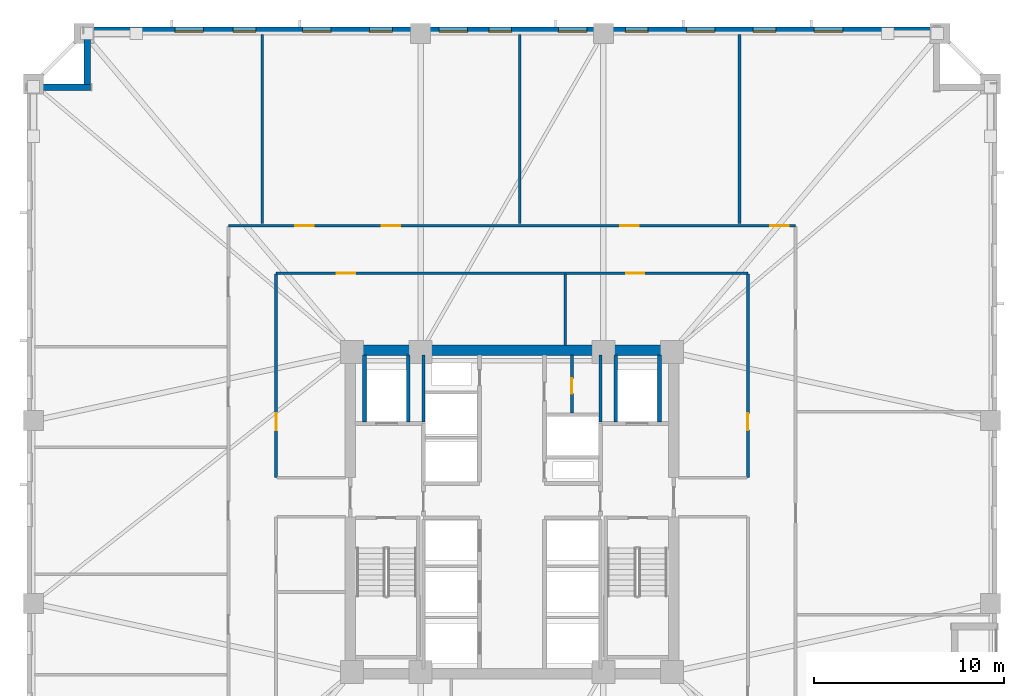
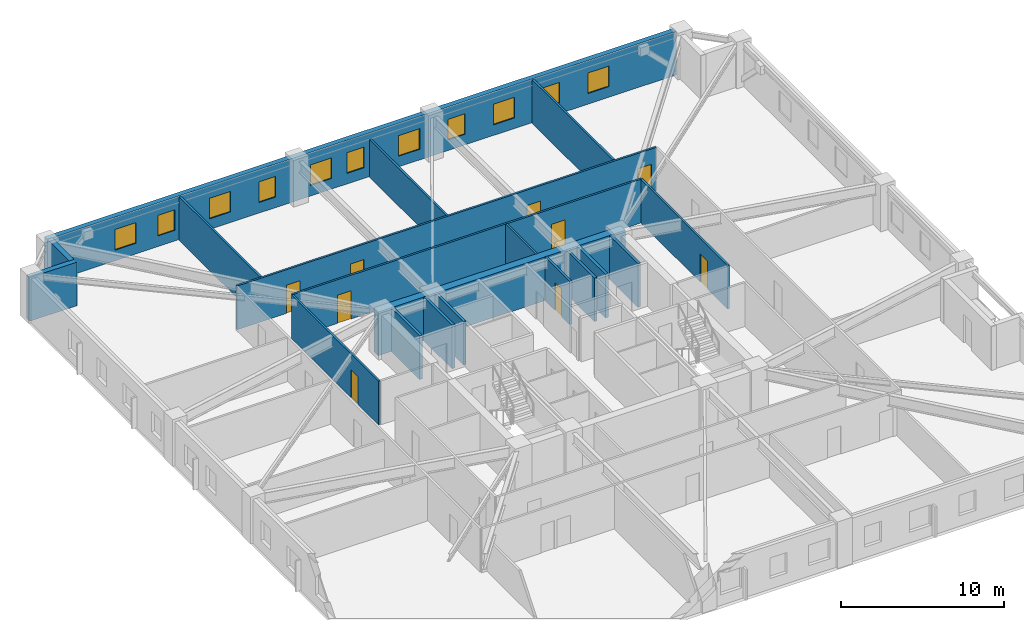
# One storey, part 5 of 11: 19 walls, 11 windows, 9 doors, 20 openings.
"""IFC4 building model written with IfcOpenShell, lengths in metres."""

from ifc_helpers import new_model, si_unit, direction, frame, frame_2d, origin, place, context, subcontext, project, spatial, rectangle, extrude, material, layer, layer_set, type_object, element, fill, save


model = new_model("IFC4")

# Units and contexts
model_context = context("Model", 3, precision=1e-05, world=origin(), true_north=direction((0.0, 1.0)))
body_context = subcontext(model_context, "Body", "Model", "MODEL_VIEW")
ifc_project = project(units=[si_unit("LENGTHUNIT", "METRE"), si_unit("AREAUNIT", "SQUARE_METRE"), si_unit("VOLUMEUNIT", "CUBIC_METRE"), si_unit("PLANEANGLEUNIT", "RADIAN"), si_unit("MASSUNIT", "GRAM", prefix="KILO")], contexts=[model_context])

# Site, building, storey
site_placement = place(None, origin())
site = spatial("IfcSite", under=ifc_project, at=site_placement, CompositionType="ELEMENT")
building_placement = place(site_placement, origin())
building = spatial("IfcBuilding", under=site, at=building_placement, Name="Cairnveth Concourse Tower", CompositionType="ELEMENT")
storey_placement = place(building_placement, frame((0.0, 0.0, 58.5)))
storey = spatial("IfcBuildingStorey", under=building, at=storey_placement, Name="L15", CompositionType="ELEMENT", Elevation=58.5)

# Wall, opening, door
ifc_material_1 = material(Name="Gypsum Plasterboard Partition", Category="gypsum")
ifc_layer_1 = layer(ifc_material_1, 0.159912109375)
ifc_layer_set_1 = layer_set([ifc_layer_1], Name="Gypsum Plasterboard Partition")
wall_type_1 = type_object("IfcWallType", Name="ACOUSTIC PARTY WALL 180", PredefinedType="PARTITIONING", material=ifc_layer_set_1)
wall_1_placement = place(storey_placement, frame((55.14990234375, 44.195068359375, 0.0), z_axis=(0.0, 0.0, 1.0), x_axis=(0.0, 1.0, 0.0)))
wall_1 = element("IfcWall", 1, at=wall_1_placement, inside=storey, type_object=wall_type_1, Name="Interior Wall IW-L15-037", PredefinedType="PARTITIONING", context=body_context, shape_type="SweptSolid", body=[
    extrude(rectangle(XDim=3.044921875, YDim=0.159912109375, at=frame_2d((1.5224609375, 0.0))), origin(), (0.0, 0.0, 1.0), 3.280029296875),
])
opening_1_placement = place(wall_1_placement, frame((1.02490234375, 0.0, 0.0)))
opening_1 = element("IfcOpeningElement", 2, at=opening_1_placement, cuts=wall_1, Name="Opening ID23", PredefinedType="OPENING", context=body_context, shape_type="SweptSolid", body=[
    extrude(rectangle(XDim=0.800048828125, YDim=2.10009765625, at=frame_2d((0.39990234375, 1.050048828125))), frame((0.0, 0.08984375, 0.0), z_axis=(0.0, -1.0, 0.0), x_axis=(1.0, 0.0, 0.0)), (0.0, 0.0, 1.0), 0.179931640625),
])
ifc_material_2 = material(Name="Steel Grade 350", Category="steel")
door_type_1 = type_object("IfcDoorType", Name="CORE SERVICE DOOR 800X2100", OperationType="NOTDEFINED", PredefinedType="DOOR", material=ifc_material_2)
door_1_placement = place(opening_1_placement, origin())
door_1 = element("IfcDoor", 3, at=door_1_placement, inside=storey, type_object=door_type_1, Name="NE Linen Closet Door L15", OperationType="SINGLE_SWING_LEFT", OverallHeight=2.10009765625, OverallWidth=0.800048828125, PredefinedType="DOOR", context=body_context, shape_type="SweptSolid", body=[
    extrude(rectangle(XDim=0.800048828125, YDim=2.10009765625, at=frame_2d((0.39990234375, 1.050048828125))), frame((0.0, 0.02490234375, 0.0), z_axis=(0.0, -1.0, 0.0), x_axis=(1.0, 0.0, 0.0)), (0.0, 0.0, 1.0), 0.050048828125),
])
fill(opening_1, door_1)

# Walls
ifc_material_3 = material(Name="Concrete N80 (80 MPa)", Category="concrete")
ifc_layer_2 = layer(ifc_material_3, 0.550048828125)
ifc_layer_set_2 = layer_set([ifc_layer_2], Name="Concrete N80 (80 MPa)")
wall_type_2 = type_object("IfcWallType", Name="CORE SHEAR WALL 550", PredefinedType="SHEAR", material=ifc_layer_set_2)
wall_2_placement = place(storey_placement, frame((43.22509765625, 47.5, 0.0), z_axis=(0.0, 0.0, 1.0), x_axis=(1.0, 0.0, 0.0)))
element("IfcWall", 4, at=wall_2_placement, inside=storey, type_object=wall_type_2, Name="Core North Shear Wall L15", PredefinedType="SHEAR", context=body_context, shape_type="SweptSolid", body=[
    extrude(rectangle(XDim=17.5498046875, YDim=0.550048828125, at=frame_2d((8.77490234375, 0.0))), origin(), (0.0, 0.0, 1.0), 3.280029296875),
])
ifc_material_4 = material(Name="Concrete N50 (50 MPa)", Category="concrete")
ifc_layer_3 = layer(ifc_material_4, 0.179931640625)
ifc_layer_set_3 = layer_set([ifc_layer_3], Name="Concrete N50 (50 MPa)")
wall_type_3 = type_object("IfcWallType", Name="FIRE SHAFT WALL 180", PredefinedType="SOLIDWALL", material=ifc_layer_set_3)
for number, where, z_axis, x_axis, name in (
    (5, (47.35009765625, 43.735107421875, 0.0), (0.0, 0.0, 1.0), (0.0, 1.0, 0.0), "Interior Wall IW-L15-031"),
    (6, (56.64990234375, 43.735107421875, 0.0), (0.0, 0.0, 1.0), (0.0, 1.0, 0.0), "Interior Wall IW-L15-034"),
):
    element("IfcWall", number, at=place(storey_placement, frame(where, z_axis=z_axis, x_axis=x_axis)), inside=storey, type_object=wall_type_3, Name=name, PredefinedType="SOLIDWALL", context=body_context, shape_type="SweptSolid", body=[
        extrude(rectangle(XDim=3.5048828125, YDim=0.179931640625, at=frame_2d((1.75244140625, 0.0))), origin(), (0.0, 0.0, 1.0), 3.280029296875),
    ])
ifc_layer_4 = layer(ifc_material_4, 0.199951171875)
ifc_layer_set_4 = layer_set([ifc_layer_4], Name="Concrete N50 (50 MPa)")
wall_type_4 = type_object("IfcWallType", Name="FIRE SHAFT WALL 200", PredefinedType="SOLIDWALL", material=ifc_layer_set_4)
for number, where, z_axis, x_axis, name in (
    (7, (46.550048828125, 43.735107421875, 0.0), (0.0, 0.0, 1.0), (0.0, 1.0, 0.0), "Interior Wall IW-L15-018"),
    (8, (44.25, 43.735107421875, 0.0), (0.0, 0.0, 1.0), (0.0, 1.0, 0.0), "Interior Wall IW-L15-019"),
    (9, (57.449951171875, 43.735107421875, 0.0), (0.0, 0.0, 1.0), (0.0, 1.0, 0.0), "Interior Wall IW-L15-023"),
    (10, (59.75, 43.735107421875, 0.0), (0.0, 0.0, 1.0), (0.0, 1.0, 0.0), "Interior Wall IW-L15-024"),
):
    element("IfcWall", number, at=place(storey_placement, frame(where, z_axis=z_axis, x_axis=x_axis)), inside=storey, type_object=wall_type_4, Name=name, PredefinedType="SOLIDWALL", context=body_context, shape_type="SweptSolid", body=[
        extrude(rectangle(XDim=3.5048828125, YDim=0.199951171875, at=frame_2d((1.75244140625, 0.0))), origin(), (0.0, 0.0, 1.0), 3.280029296875),
    ])

# Wall, openings, doors
ifc_layer_5 = layer(ifc_material_1, 0.139892578125)
ifc_layer_set_5 = layer_set([ifc_layer_5], Name="Gypsum Plasterboard Partition")
wall_type_5 = type_object("IfcWallType", Name="GYPSUM STUD PARTITION 140", PredefinedType="PARTITIONING", material=ifc_layer_set_5)
wall_3_placement = place(storey_placement, frame((37.10009765625, 54.050048828125, 0.0), z_axis=(0.0, 0.0, 1.0), x_axis=(1.0, 0.0, 0.0)))
wall_3 = element("IfcWall", 11, at=wall_3_placement, inside=storey, type_object=wall_type_5, Name="Interior Wall IW-L15-039", PredefinedType="PARTITIONING", context=body_context, shape_type="SweptSolid", body=[
    extrude(rectangle(XDim=29.7998046875, YDim=0.139892578125, at=frame_2d((14.89990234375, 0.0))), origin(), (0.0, 0.0, 1.0), 3.280029296875),
])
opening_2_placement = place(wall_3_placement, frame((3.5224609375, 0.0, 0.0)))
opening_2 = element("IfcOpeningElement", 12, at=opening_2_placement, cuts=wall_3, Name="Opening ID11", PredefinedType="OPENING", context=body_context, shape_type="SweptSolid", body=[
    extrude(rectangle(XDim=0.9599609375, YDim=2.1201171875, at=frame_2d((0.47998046875, 1.06005859375))), frame((0.0, 0.079833984375, 0.0), z_axis=(0.0, -1.0, 0.0), x_axis=(1.0, 0.0, 0.0)), (0.0, 0.0, 1.0), 0.159912109375),
])
opening_3_placement = place(wall_3_placement, frame((8.06005859375, 0.0, 0.0)))
opening_3 = element("IfcOpeningElement", 13, at=opening_3_placement, cuts=wall_3, Name="Opening ID11", PredefinedType="OPENING", context=body_context, shape_type="SweptSolid", body=[
    extrude(rectangle(XDim=0.9599609375, YDim=2.1201171875, at=frame_2d((0.47998046875, 1.06005859375))), frame((0.0, 0.079833984375, 0.0), z_axis=(0.0, -1.0, 0.0), x_axis=(1.0, 0.0, 0.0)), (0.0, 0.0, 1.0), 0.159912109375),
])
opening_4_placement = place(wall_3_placement, frame((20.60009765625, 0.0, 0.0)))
opening_4 = element("IfcOpeningElement", 14, at=opening_4_placement, cuts=wall_3, Name="Opening ID11", PredefinedType="OPENING", context=body_context, shape_type="SweptSolid", body=[
    extrude(rectangle(XDim=0.9599609375, YDim=2.1201171875, at=frame_2d((0.47998046875, 1.06005859375))), frame((0.0, 0.079833984375, 0.0), z_axis=(0.0, -1.0, 0.0), x_axis=(1.0, 0.0, 0.0)), (0.0, 0.0, 1.0), 0.159912109375),
])
opening_5_placement = place(wall_3_placement, frame((28.47998046875, 0.0, 0.0)))
opening_5 = element("IfcOpeningElement", 15, at=opening_5_placement, cuts=wall_3, Name="Opening ID11", PredefinedType="OPENING", context=body_context, shape_type="SweptSolid", body=[
    extrude(rectangle(XDim=0.9599609375, YDim=2.1201171875, at=frame_2d((0.47998046875, 1.06005859375))), frame((0.0, 0.079833984375, 0.0), z_axis=(0.0, -1.0, 0.0), x_axis=(1.0, 0.0, 0.0)), (0.0, 0.0, 1.0), 0.159912109375),
])
ifc_material_5 = material(Name="Solid Core Hardwood Timber Leaf", Category="wood")
door_type_2 = type_object("IfcDoorType", Name="INTERIOR SINGLE DOOR 960X2150", OperationType="NOTDEFINED", PredefinedType="DOOR", material=ifc_material_5)
door_2_placement = place(opening_2_placement, origin())
door_2 = element("IfcDoor", 16, at=door_2_placement, inside=storey, type_object=door_type_2, Name="Office Door L15-N1", OperationType="SINGLE_SWING_RIGHT", OverallHeight=2.1201171875, OverallWidth=0.9599609375, PredefinedType="DOOR", context=body_context, shape_type="SweptSolid", body=[
    extrude(rectangle(XDim=0.9599609375, YDim=2.1201171875, at=frame_2d((0.47998046875, 1.06005859375))), frame((0.0, 0.02490234375, 0.0), z_axis=(0.0, -1.0, 0.0), x_axis=(1.0, 0.0, 0.0)), (0.0, 0.0, 1.0), 0.050048828125),
])
fill(opening_2, door_2)
door_3_placement = place(opening_3_placement, origin())
door_3 = element("IfcDoor", 17, at=door_3_placement, inside=storey, type_object=door_type_2, Name="Office Door L15-N2", OperationType="SINGLE_SWING_LEFT", OverallHeight=2.1201171875, OverallWidth=0.9599609375, PredefinedType="DOOR", context=body_context, shape_type="SweptSolid", body=[
    extrude(rectangle(XDim=0.9599609375, YDim=2.1201171875, at=frame_2d((0.47998046875, 1.06005859375))), frame((0.0, 0.02490234375, 0.0), z_axis=(0.0, -1.0, 0.0), x_axis=(1.0, 0.0, 0.0)), (0.0, 0.0, 1.0), 0.050048828125),
])
fill(opening_3, door_3)
door_4_placement = place(opening_4_placement, origin())
door_4 = element("IfcDoor", 18, at=door_4_placement, inside=storey, type_object=door_type_2, Name="Office Door L15-N3", OperationType="SINGLE_SWING_RIGHT", OverallHeight=2.1201171875, OverallWidth=0.9599609375, PredefinedType="DOOR", context=body_context, shape_type="SweptSolid", body=[
    extrude(rectangle(XDim=0.9599609375, YDim=2.1201171875, at=frame_2d((0.47998046875, 1.06005859375))), frame((0.0, 0.02490234375, 0.0), z_axis=(0.0, -1.0, 0.0), x_axis=(1.0, 0.0, 0.0)), (0.0, 0.0, 1.0), 0.050048828125),
])
fill(opening_4, door_4)
door_5_placement = place(opening_5_placement, origin())
door_5 = element("IfcDoor", 19, at=door_5_placement, inside=storey, type_object=door_type_2, Name="Office Door L15-N4", OperationType="SINGLE_SWING_LEFT", OverallHeight=2.1201171875, OverallWidth=0.9599609375, PredefinedType="DOOR", context=body_context, shape_type="SweptSolid", body=[
    extrude(rectangle(XDim=0.9599609375, YDim=2.1201171875, at=frame_2d((0.47998046875, 1.06005859375))), frame((0.0, 0.02490234375, 0.0), z_axis=(0.0, -1.0, 0.0), x_axis=(1.0, 0.0, 0.0)), (0.0, 0.0, 1.0), 0.050048828125),
])
fill(opening_5, door_5)

wall_4_placement = place(storey_placement, frame((39.60009765625, 51.550048828125, 0.0), z_axis=(0.0, 0.0, 1.0), x_axis=(1.0, 0.0, 0.0)))
wall_4 = element("IfcWall", 20, at=wall_4_placement, inside=storey, type_object=wall_type_5, Name="Interior Wall IW-L15-043", PredefinedType="PARTITIONING", context=body_context, shape_type="SweptSolid", body=[
    extrude(rectangle(XDim=24.7998046875, YDim=0.139892578125, at=frame_2d((12.39990234375, 0.0))), origin(), (0.0, 0.0, 1.0), 3.280029296875),
])
opening_6_placement = place(wall_4_placement, frame((3.199951171875, 0.0, 0.0)))
opening_6 = element("IfcOpeningElement", 21, at=opening_6_placement, cuts=wall_4, Name="Opening ID11", PredefinedType="OPENING", context=body_context, shape_type="SweptSolid", body=[
    extrude(rectangle(XDim=0.9599609375, YDim=2.1201171875, at=frame_2d((0.47998046875, 1.06005859375))), frame((0.0, 0.079833984375, 0.0), z_axis=(0.0, -1.0, 0.0), x_axis=(1.0, 0.0, 0.0)), (0.0, 0.0, 1.0), 0.159912109375),
])
opening_7_placement = place(wall_4_placement, frame((18.39990234375, 0.0, 0.0)))
opening_7 = element("IfcOpeningElement", 22, at=opening_7_placement, cuts=wall_4, Name="Opening ID11", PredefinedType="OPENING", context=body_context, shape_type="SweptSolid", body=[
    extrude(rectangle(XDim=0.9599609375, YDim=2.1201171875, at=frame_2d((0.47998046875, 1.06005859375))), frame((0.0, 0.079833984375, 0.0), z_axis=(0.0, -1.0, 0.0), x_axis=(1.0, 0.0, 0.0)), (0.0, 0.0, 1.0), 0.159912109375),
])
door_6_placement = place(opening_6_placement, origin())
door_6 = element("IfcDoor", 23, at=door_6_placement, inside=storey, type_object=door_type_2, Name="Interior Door DR-L15-016", OperationType="SINGLE_SWING_RIGHT", OverallHeight=2.1201171875, OverallWidth=0.9599609375, PredefinedType="DOOR", context=body_context, shape_type="SweptSolid", body=[
    extrude(rectangle(XDim=0.9599609375, YDim=2.1201171875, at=frame_2d((0.47998046875, 1.06005859375))), frame((0.0, 0.02490234375, 0.0), z_axis=(0.0, -1.0, 0.0), x_axis=(1.0, 0.0, 0.0)), (0.0, 0.0, 1.0), 0.050048828125),
])
fill(opening_6, door_6)
door_7_placement = place(opening_7_placement, origin())
door_7 = element("IfcDoor", 24, at=door_7_placement, inside=storey, type_object=door_type_2, Name="Interior Door DR-L15-017", OperationType="SINGLE_SWING_LEFT", OverallHeight=2.1201171875, OverallWidth=0.9599609375, PredefinedType="DOOR", context=body_context, shape_type="SweptSolid", body=[
    extrude(rectangle(XDim=0.9599609375, YDim=2.1201171875, at=frame_2d((0.47998046875, 1.06005859375))), frame((0.0, 0.02490234375, 0.0), z_axis=(0.0, -1.0, 0.0), x_axis=(1.0, 0.0, 0.0)), (0.0, 0.0, 1.0), 0.050048828125),
])
fill(opening_7, door_7)

# Wall, opening, door
wall_5_placement = place(storey_placement, frame((39.60009765625, 40.800048828125, 0.0), z_axis=(0.0, 0.0, 1.0), x_axis=(0.0, 1.0, 0.0)))
wall_5 = element("IfcWall", 25, at=wall_5_placement, inside=storey, type_object=wall_type_5, Name="Interior Wall IW-L15-045", PredefinedType="PARTITIONING", context=body_context, shape_type="SweptSolid", body=[
    extrude(rectangle(XDim=10.695068359375, YDim=0.139892578125, at=frame_2d((5.34765625, 0.0))), origin(), (0.0, 0.0, 1.0), 3.280029296875),
])
opening_8_placement = place(wall_5_placement, frame((2.5, 0.0, 0.0)))
opening_8 = element("IfcOpeningElement", 26, at=opening_8_placement, cuts=wall_5, Name="Opening ID18", PredefinedType="OPENING", context=body_context, shape_type="SweptSolid", body=[
    extrude(rectangle(XDim=0.8798828125, YDim=2.10009765625, at=frame_2d((0.43994140625, 1.050048828125))), frame((0.0, 0.079833984375, 0.0), z_axis=(0.0, -1.0, 0.0), x_axis=(1.0, 0.0, 0.0)), (0.0, 0.0, 1.0), 0.159912109375),
])
door_type_3 = type_object("IfcDoorType", Name="INTERIOR SINGLE DOOR 880X2100", OperationType="NOTDEFINED", PredefinedType="DOOR", material=ifc_material_5)
door_8_placement = place(opening_8_placement, origin())
door_8 = element("IfcDoor", 27, at=door_8_placement, inside=storey, type_object=door_type_3, Name="Interior Door DR-L15-020", OperationType="SINGLE_SWING_RIGHT", OverallHeight=2.10009765625, OverallWidth=0.8798828125, PredefinedType="DOOR", context=body_context, shape_type="SweptSolid", body=[
    extrude(rectangle(XDim=0.8798828125, YDim=2.10009765625, at=frame_2d((0.43994140625, 1.050048828125))), frame((0.0, 0.02490234375, 0.0), z_axis=(0.0, -1.0, 0.0), x_axis=(1.0, 0.0, 0.0)), (0.0, 0.0, 1.0), 0.050048828125),
])
fill(opening_8, door_8)

wall_6_placement = place(storey_placement, frame((64.39990234375, 40.800048828125, 0.0), z_axis=(0.0, 0.0, 1.0), x_axis=(0.0, 1.0, 0.0)))
wall_6 = element("IfcWall", 28, at=wall_6_placement, inside=storey, type_object=wall_type_5, Name="Interior Wall IW-L15-049", PredefinedType="PARTITIONING", context=body_context, shape_type="SweptSolid", body=[
    extrude(rectangle(XDim=10.695068359375, YDim=0.139892578125, at=frame_2d((5.34765625, 0.0))), origin(), (0.0, 0.0, 1.0), 3.280029296875),
])
opening_9_placement = place(wall_6_placement, frame((2.5, 0.0, 0.0)))
opening_9 = element("IfcOpeningElement", 29, at=opening_9_placement, cuts=wall_6, Name="Opening ID18", PredefinedType="OPENING", context=body_context, shape_type="SweptSolid", body=[
    extrude(rectangle(XDim=0.8798828125, YDim=2.10009765625, at=frame_2d((0.43994140625, 1.050048828125))), frame((0.0, 0.079833984375, 0.0), z_axis=(0.0, -1.0, 0.0), x_axis=(1.0, 0.0, 0.0)), (0.0, 0.0, 1.0), 0.159912109375),
])
door_9_placement = place(opening_9_placement, origin())
door_9 = element("IfcDoor", 30, at=door_9_placement, inside=storey, type_object=door_type_3, Name="Interior Door DR-L15-022", OperationType="SINGLE_SWING_RIGHT", OverallHeight=2.10009765625, OverallWidth=0.8798828125, PredefinedType="DOOR", context=body_context, shape_type="SweptSolid", body=[
    extrude(rectangle(XDim=0.8798828125, YDim=2.10009765625, at=frame_2d((0.43994140625, 1.050048828125))), frame((0.0, 0.02490234375, 0.0), z_axis=(0.0, -1.0, 0.0), x_axis=(1.0, 0.0, 0.0)), (0.0, 0.0, 1.0), 0.050048828125),
])
fill(opening_9, door_9)

# Walls
wall_7_placement = place(storey_placement, frame((54.800048828125, 47.760009765625, 0.0), z_axis=(0.0, 0.0, 1.0), x_axis=(0.0, 1.0, 0.0)))
element("IfcWall", 31, at=wall_7_placement, inside=storey, type_object=wall_type_5, Name="Interior Wall IW-L15-053", PredefinedType="PARTITIONING", context=body_context, shape_type="SweptSolid", body=[
    extrude(rectangle(XDim=3.735107421875, YDim=0.139892578125, at=frame_2d((1.86767578125, 0.0))), origin(), (0.0, 0.0, 1.0), 3.280029296875),
])
wall_8_placement = place(storey_placement, frame((38.875, 54.14990234375, 0.0), z_axis=(0.0, 0.0, 1.0), x_axis=(0.0, 1.0, 0.0)))
element("IfcWall", 32, at=wall_8_placement, inside=storey, type_object=wall_type_5, Name="Interior Wall IW-L15-059", PredefinedType="PARTITIONING", context=body_context, shape_type="SweptSolid", body=[
    extrude(rectangle(XDim=9.93017578125, YDim=0.139892578125, at=frame_2d((4.965087890625, 0.0))), origin(), (0.0, 0.0, 1.0), 3.280029296875),
])
wall_9_placement = place(storey_placement, frame((52.405029296875, 54.14990234375, 0.0), z_axis=(0.0, 0.0, 1.0), x_axis=(0.0, 1.0, 0.0)))
element("IfcWall", 33, at=wall_9_placement, inside=storey, type_object=wall_type_5, Name="Interior Wall IW-L15-060", PredefinedType="PARTITIONING", context=body_context, shape_type="SweptSolid", body=[
    extrude(rectangle(XDim=9.93017578125, YDim=0.139892578125, at=frame_2d((4.965087890625, 0.0))), origin(), (0.0, 0.0, 1.0), 2.84912109375),
])
wall_10_placement = place(storey_placement, frame((63.955078125, 54.14990234375, 0.0), z_axis=(0.0, 0.0, 1.0), x_axis=(0.0, 1.0, 0.0)))
element("IfcWall", 34, at=wall_10_placement, inside=storey, type_object=wall_type_5, Name="Interior Wall IW-L15-061", PredefinedType="PARTITIONING", context=body_context, shape_type="SweptSolid", body=[
    extrude(rectangle(XDim=9.93017578125, YDim=0.139892578125, at=frame_2d((4.965087890625, 0.0))), origin(), (0.0, 0.0, 1.0), 3.280029296875),
])
ifc_material_6 = material(Name="Hawthorn Red-Ochre Fired Clay Brick Masonry", Category="masonry")
ifc_layer_6 = layer(ifc_material_6, 0.360107421875)
ifc_layer_set_6 = layer_set([ifc_layer_6], Name="Hawthorn Red-Ochre Fired Clay Brick Masonry")
wall_type_6 = type_object("IfcWallType", Name="ZONE 1 BRICK PIER SPANDREL WALL 360", PredefinedType="SOLIDWALL", material=ifc_layer_set_6)
wall_11_placement = place(storey_placement, frame((26.5, 61.320068359375, 0.0), z_axis=(0.0, 0.0, 1.0), x_axis=(1.0, 0.0, 0.0)))
element("IfcWall", 35, at=wall_11_placement, inside=storey, type_object=wall_type_6, Name="Exterior Wall EW-L15-S07", PredefinedType="SOLIDWALL", context=body_context, shape_type="SweptSolid", body=[
    extrude(rectangle(XDim=3.360107421875, YDim=0.360107421875, at=frame_2d((1.68017578125, 0.0))), origin(), (0.0, 0.0, 1.0), 3.280029296875),
])
wall_12_placement = place(storey_placement, frame((29.679931640625, 61.47802734375, 0.0), z_axis=(0.0, 0.0, 1.0), x_axis=(0.0, 1.0, 0.0)))
element("IfcWall", 36, at=wall_12_placement, inside=storey, type_object=wall_type_6, Name="Exterior Wall EW-L15-S08", PredefinedType="SOLIDWALL", context=body_context, shape_type="SweptSolid", body=[
    extrude(rectangle(XDim=2.68408203125, YDim=0.360107421875, at=frame_2d((1.342041015625, 0.0))), origin(), (0.0, 0.0, 1.0), 3.280029296875),
])

# Wall, openings, windows
wall_13_placement = place(storey_placement, frame((29.5, 64.320068359375, 0.0), z_axis=(0.0, 0.0, 1.0), x_axis=(1.0, 0.0, 0.0)))
wall_13 = element("IfcWall", 37, at=wall_13_placement, inside=storey, type_object=wall_type_6, Name="Exterior Wall EW-L15-S09", PredefinedType="SOLIDWALL", context=body_context, shape_type="SweptSolid", body=[
    extrude(rectangle(XDim=44.662109375, YDim=0.360107421875, at=frame_2d((22.3310546875, 0.0))), origin(), (0.0, 0.0, 1.0), 3.280029296875),
])
opening_10_placement = place(wall_13_placement, frame((4.780029296875, 0.0, 0.800048828125)))
opening_10 = element("IfcOpeningElement", 38, at=opening_10_placement, cuts=wall_13, Name="Opening W03", PredefinedType="OPENING", context=body_context, shape_type="SweptSolid", body=[
    extrude(rectangle(XDim=1.5, YDim=1.5439453125, at=frame_2d((0.75, 0.77197265625))), frame((0.0, 0.18994140625, 0.0), z_axis=(0.0, -1.0, 0.0), x_axis=(1.0, 0.0, 0.0)), (0.0, 0.0, 1.0), 0.380126953125),
])
opening_11_placement = place(wall_13_placement, frame((7.84033203125, 0.0, 0.800048828125)))
opening_11 = element("IfcOpeningElement", 39, at=opening_11_placement, cuts=wall_13, Name="Opening W01", PredefinedType="OPENING", context=body_context, shape_type="SweptSolid", body=[
    extrude(rectangle(XDim=1.199951171875, YDim=1.5439453125, at=frame_2d((0.60009765625, 0.77197265625))), frame((0.0, 0.18994140625, 0.0), z_axis=(0.0, -1.0, 0.0), x_axis=(1.0, 0.0, 0.0)), (0.0, 0.0, 1.0), 0.380126953125),
])
opening_12_placement = place(wall_13_placement, frame((11.50048828125, 0.0, 0.800048828125)))
opening_12 = element("IfcOpeningElement", 40, at=opening_12_placement, cuts=wall_13, Name="Opening W03", PredefinedType="OPENING", context=body_context, shape_type="SweptSolid", body=[
    extrude(rectangle(XDim=1.5, YDim=1.5439453125, at=frame_2d((0.75, 0.77197265625))), frame((0.0, 0.18994140625, 0.0), z_axis=(0.0, -1.0, 0.0), x_axis=(1.0, 0.0, 0.0)), (0.0, 0.0, 1.0), 0.380126953125),
])
opening_13_placement = place(wall_13_placement, frame((15.010498046875, 0.0, 0.800048828125)))
opening_13 = element("IfcOpeningElement", 41, at=opening_13_placement, cuts=wall_13, Name="Opening W01", PredefinedType="OPENING", context=body_context, shape_type="SweptSolid", body=[
    extrude(rectangle(XDim=1.199951171875, YDim=1.5439453125, at=frame_2d((0.60009765625, 0.77197265625))), frame((0.0, 0.18994140625, 0.0), z_axis=(0.0, -1.0, 0.0), x_axis=(1.0, 0.0, 0.0)), (0.0, 0.0, 1.0), 0.380126953125),
])
opening_14_placement = place(wall_13_placement, frame((18.6708984375, 0.0, 0.800048828125)))
opening_14 = element("IfcOpeningElement", 42, at=opening_14_placement, cuts=wall_13, Name="Opening W03", PredefinedType="OPENING", context=body_context, shape_type="SweptSolid", body=[
    extrude(rectangle(XDim=1.5, YDim=1.5439453125, at=frame_2d((0.75, 0.77197265625))), frame((0.0, 0.18994140625, 0.0), z_axis=(0.0, -1.0, 0.0), x_axis=(1.0, 0.0, 0.0)), (0.0, 0.0, 1.0), 0.380126953125),
])
opening_15_placement = place(wall_13_placement, frame((21.281005859375, 0.0, 0.800048828125)))
opening_15 = element("IfcOpeningElement", 43, at=opening_15_placement, cuts=wall_13, Name="Opening W01", PredefinedType="OPENING", context=body_context, shape_type="SweptSolid", body=[
    extrude(rectangle(XDim=1.199951171875, YDim=1.5439453125, at=frame_2d((0.60009765625, 0.77197265625))), frame((0.0, 0.18994140625, 0.0), z_axis=(0.0, -1.0, 0.0), x_axis=(1.0, 0.0, 0.0)), (0.0, 0.0, 1.0), 0.380126953125),
])
opening_16_placement = place(wall_13_placement, frame((24.941162109375, 0.0, 0.800048828125)))
opening_16 = element("IfcOpeningElement", 44, at=opening_16_placement, cuts=wall_13, Name="Opening W03", PredefinedType="OPENING", context=body_context, shape_type="SweptSolid", body=[
    extrude(rectangle(XDim=1.5, YDim=1.5439453125, at=frame_2d((0.75, 0.77197265625))), frame((0.0, 0.18994140625, 0.0), z_axis=(0.0, -1.0, 0.0), x_axis=(1.0, 0.0, 0.0)), (0.0, 0.0, 1.0), 0.380126953125),
])
opening_17_placement = place(wall_13_placement, frame((28.451416015625, 0.0, 0.800048828125)))
opening_17 = element("IfcOpeningElement", 45, at=opening_17_placement, cuts=wall_13, Name="Opening W01", PredefinedType="OPENING", context=body_context, shape_type="SweptSolid", body=[
    extrude(rectangle(XDim=1.199951171875, YDim=1.5439453125, at=frame_2d((0.60009765625, 0.77197265625))), frame((0.0, 0.18994140625, 0.0), z_axis=(0.0, -1.0, 0.0), x_axis=(1.0, 0.0, 0.0)), (0.0, 0.0, 1.0), 0.380126953125),
])
opening_18_placement = place(wall_13_placement, frame((31.66162109375, 0.0, 0.800048828125)))
opening_18 = element("IfcOpeningElement", 46, at=opening_18_placement, cuts=wall_13, Name="Opening W03", PredefinedType="OPENING", context=body_context, shape_type="SweptSolid", body=[
    extrude(rectangle(XDim=1.5, YDim=1.5439453125, at=frame_2d((0.75, 0.77197265625))), frame((0.0, 0.18994140625, 0.0), z_axis=(0.0, -1.0, 0.0), x_axis=(1.0, 0.0, 0.0)), (0.0, 0.0, 1.0), 0.380126953125),
])
opening_19_placement = place(wall_13_placement, frame((35.171630859375, 0.0, 0.800048828125)))
opening_19 = element("IfcOpeningElement", 47, at=opening_19_placement, cuts=wall_13, Name="Opening W01", PredefinedType="OPENING", context=body_context, shape_type="SweptSolid", body=[
    extrude(rectangle(XDim=1.199951171875, YDim=1.5439453125, at=frame_2d((0.60009765625, 0.77197265625))), frame((0.0, 0.18994140625, 0.0), z_axis=(0.0, -1.0, 0.0), x_axis=(1.0, 0.0, 0.0)), (0.0, 0.0, 1.0), 0.380126953125),
])
opening_20_placement = place(wall_13_placement, frame((38.3818359375, 0.0, 0.800048828125)))
opening_20 = element("IfcOpeningElement", 48, at=opening_20_placement, cuts=wall_13, Name="Opening W03", PredefinedType="OPENING", context=body_context, shape_type="SweptSolid", body=[
    extrude(rectangle(XDim=1.5, YDim=1.5439453125, at=frame_2d((0.75, 0.77197265625))), frame((0.0, 0.18994140625, 0.0), z_axis=(0.0, -1.0, 0.0), x_axis=(1.0, 0.0, 0.0)), (0.0, 0.0, 1.0), 0.380126953125),
])
ifc_material_7 = material(Name="Double Glazed Low-E Clear Glass", Category="glass")
window_type_1 = type_object("IfcWindowType", Name="DEEP-SET GOTHIC LANCET WINDOW 1200X1800", PartitioningType="DOUBLE_PANEL_VERTICAL", PredefinedType="WINDOW", material=ifc_material_7)
window_1_placement = place(opening_11_placement, origin())
window_1 = element("IfcWindow", 49, at=window_1_placement, inside=storey, type_object=window_type_1, Name="Gothic Lancet Window L15-9-2", OverallHeight=1.5439453125, OverallWidth=1.199951171875, PartitioningType="SINGLE_PANEL", PredefinedType="WINDOW", context=body_context, shape_type="SweptSolid", body=[
    extrude(rectangle(XDim=1.199951171875, YDim=1.5439453125, at=frame_2d((0.60009765625, 0.77197265625))), frame((0.0, -0.050048828125, 0.0), z_axis=(0.0, -1.0, 0.0), x_axis=(1.0, 0.0, 0.0)), (0.0, 0.0, 1.0), 0.06005859375),
])
fill(opening_11, window_1)
window_2_placement = place(opening_13_placement, origin())
window_2 = element("IfcWindow", 50, at=window_2_placement, inside=storey, type_object=window_type_1, Name="Gothic Lancet Window L15-9-4", OverallHeight=1.5439453125, OverallWidth=1.199951171875, PartitioningType="SINGLE_PANEL", PredefinedType="WINDOW", context=body_context, shape_type="SweptSolid", body=[
    extrude(rectangle(XDim=1.199951171875, YDim=1.5439453125, at=frame_2d((0.60009765625, 0.77197265625))), frame((0.0, -0.050048828125, 0.0), z_axis=(0.0, -1.0, 0.0), x_axis=(1.0, 0.0, 0.0)), (0.0, 0.0, 1.0), 0.06005859375),
])
fill(opening_13, window_2)
window_3_placement = place(opening_15_placement, origin())
window_3 = element("IfcWindow", 51, at=window_3_placement, inside=storey, type_object=window_type_1, Name="Gothic Lancet Window L15-9-6", OverallHeight=1.5439453125, OverallWidth=1.199951171875, PartitioningType="SINGLE_PANEL", PredefinedType="WINDOW", context=body_context, shape_type="SweptSolid", body=[
    extrude(rectangle(XDim=1.199951171875, YDim=1.5439453125, at=frame_2d((0.60009765625, 0.77197265625))), frame((0.0, -0.050048828125, 0.0), z_axis=(0.0, -1.0, 0.0), x_axis=(1.0, 0.0, 0.0)), (0.0, 0.0, 1.0), 0.06005859375),
])
fill(opening_15, window_3)
window_4_placement = place(opening_17_placement, origin())
window_4 = element("IfcWindow", 52, at=window_4_placement, inside=storey, type_object=window_type_1, Name="Gothic Lancet Window L15-9-8", OverallHeight=1.5439453125, OverallWidth=1.199951171875, PartitioningType="SINGLE_PANEL", PredefinedType="WINDOW", context=body_context, shape_type="SweptSolid", body=[
    extrude(rectangle(XDim=1.199951171875, YDim=1.5439453125, at=frame_2d((0.60009765625, 0.77197265625))), frame((0.0, -0.050048828125, 0.0), z_axis=(0.0, -1.0, 0.0), x_axis=(1.0, 0.0, 0.0)), (0.0, 0.0, 1.0), 0.06005859375),
])
fill(opening_17, window_4)
window_5_placement = place(opening_19_placement, origin())
window_5 = element("IfcWindow", 53, at=window_5_placement, inside=storey, type_object=window_type_1, Name="Gothic Lancet Window L15-9-10", OverallHeight=1.5439453125, OverallWidth=1.199951171875, PartitioningType="SINGLE_PANEL", PredefinedType="WINDOW", context=body_context, shape_type="SweptSolid", body=[
    extrude(rectangle(XDim=1.199951171875, YDim=1.5439453125, at=frame_2d((0.60009765625, 0.77197265625))), frame((0.0, -0.050048828125, 0.0), z_axis=(0.0, -1.0, 0.0), x_axis=(1.0, 0.0, 0.0)), (0.0, 0.0, 1.0), 0.06005859375),
])
fill(opening_19, window_5)
window_type_2 = type_object("IfcWindowType", Name="DEEP-SET GOTHIC LANCET WINDOW 1500X1800", PartitioningType="DOUBLE_PANEL_VERTICAL", PredefinedType="WINDOW", material=ifc_material_7)
window_6_placement = place(opening_10_placement, origin())
window_6 = element("IfcWindow", 54, at=window_6_placement, inside=storey, type_object=window_type_2, Name="Gothic Lancet Window L15-9-1", OverallHeight=1.5439453125, OverallWidth=1.5, PartitioningType="SINGLE_PANEL", PredefinedType="WINDOW", context=body_context, shape_type="SweptSolid", body=[
    extrude(rectangle(XDim=1.5, YDim=1.5439453125, at=frame_2d((0.75, 0.77197265625))), frame((0.0, -0.050048828125, 0.0), z_axis=(0.0, -1.0, 0.0), x_axis=(1.0, 0.0, 0.0)), (0.0, 0.0, 1.0), 0.06005859375),
])
fill(opening_10, window_6)
window_7_placement = place(opening_12_placement, origin())
window_7 = element("IfcWindow", 55, at=window_7_placement, inside=storey, type_object=window_type_2, Name="Gothic Lancet Window L15-9-3", OverallHeight=1.5439453125, OverallWidth=1.5, PartitioningType="SINGLE_PANEL", PredefinedType="WINDOW", context=body_context, shape_type="SweptSolid", body=[
    extrude(rectangle(XDim=1.5, YDim=1.5439453125, at=frame_2d((0.75, 0.77197265625))), frame((0.0, -0.050048828125, 0.0), z_axis=(0.0, -1.0, 0.0), x_axis=(1.0, 0.0, 0.0)), (0.0, 0.0, 1.0), 0.06005859375),
])
fill(opening_12, window_7)
window_8_placement = place(opening_14_placement, origin())
window_8 = element("IfcWindow", 56, at=window_8_placement, inside=storey, type_object=window_type_2, Name="Gothic Lancet Window L15-9-5", OverallHeight=1.5439453125, OverallWidth=1.5, PartitioningType="SINGLE_PANEL", PredefinedType="WINDOW", context=body_context, shape_type="SweptSolid", body=[
    extrude(rectangle(XDim=1.5, YDim=1.5439453125, at=frame_2d((0.75, 0.77197265625))), frame((0.0, -0.050048828125, 0.0), z_axis=(0.0, -1.0, 0.0), x_axis=(1.0, 0.0, 0.0)), (0.0, 0.0, 1.0), 0.06005859375),
])
fill(opening_14, window_8)
window_9_placement = place(opening_16_placement, origin())
window_9 = element("IfcWindow", 57, at=window_9_placement, inside=storey, type_object=window_type_2, Name="Gothic Lancet Window L15-9-7", OverallHeight=1.5439453125, OverallWidth=1.5, PartitioningType="SINGLE_PANEL", PredefinedType="WINDOW", context=body_context, shape_type="SweptSolid", body=[
    extrude(rectangle(XDim=1.5, YDim=1.5439453125, at=frame_2d((0.75, 0.77197265625))), frame((0.0, -0.050048828125, 0.0), z_axis=(0.0, -1.0, 0.0), x_axis=(1.0, 0.0, 0.0)), (0.0, 0.0, 1.0), 0.06005859375),
])
fill(opening_16, window_9)
window_10_placement = place(opening_18_placement, origin())
window_10 = element("IfcWindow", 58, at=window_10_placement, inside=storey, type_object=window_type_2, Name="Gothic Lancet Window L15-9-9", OverallHeight=1.5439453125, OverallWidth=1.5, PartitioningType="SINGLE_PANEL", PredefinedType="WINDOW", context=body_context, shape_type="SweptSolid", body=[
    extrude(rectangle(XDim=1.5, YDim=1.5439453125, at=frame_2d((0.75, 0.77197265625))), frame((0.0, -0.050048828125, 0.0), z_axis=(0.0, -1.0, 0.0), x_axis=(1.0, 0.0, 0.0)), (0.0, 0.0, 1.0), 0.06005859375),
])
fill(opening_18, window_10)
window_11_placement = place(opening_20_placement, origin())
window_11 = element("IfcWindow", 59, at=window_11_placement, inside=storey, type_object=window_type_2, Name="Gothic Lancet Window L15-9-11", OverallHeight=1.5439453125, OverallWidth=1.5, PartitioningType="SINGLE_PANEL", PredefinedType="WINDOW", context=body_context, shape_type="SweptSolid", body=[
    extrude(rectangle(XDim=1.5, YDim=1.5439453125, at=frame_2d((0.75, 0.77197265625))), frame((0.0, -0.050048828125, 0.0), z_axis=(0.0, -1.0, 0.0), x_axis=(1.0, 0.0, 0.0)), (0.0, 0.0, 1.0), 0.06005859375),
])
fill(opening_20, window_11)

save(model, "model.ifc")
